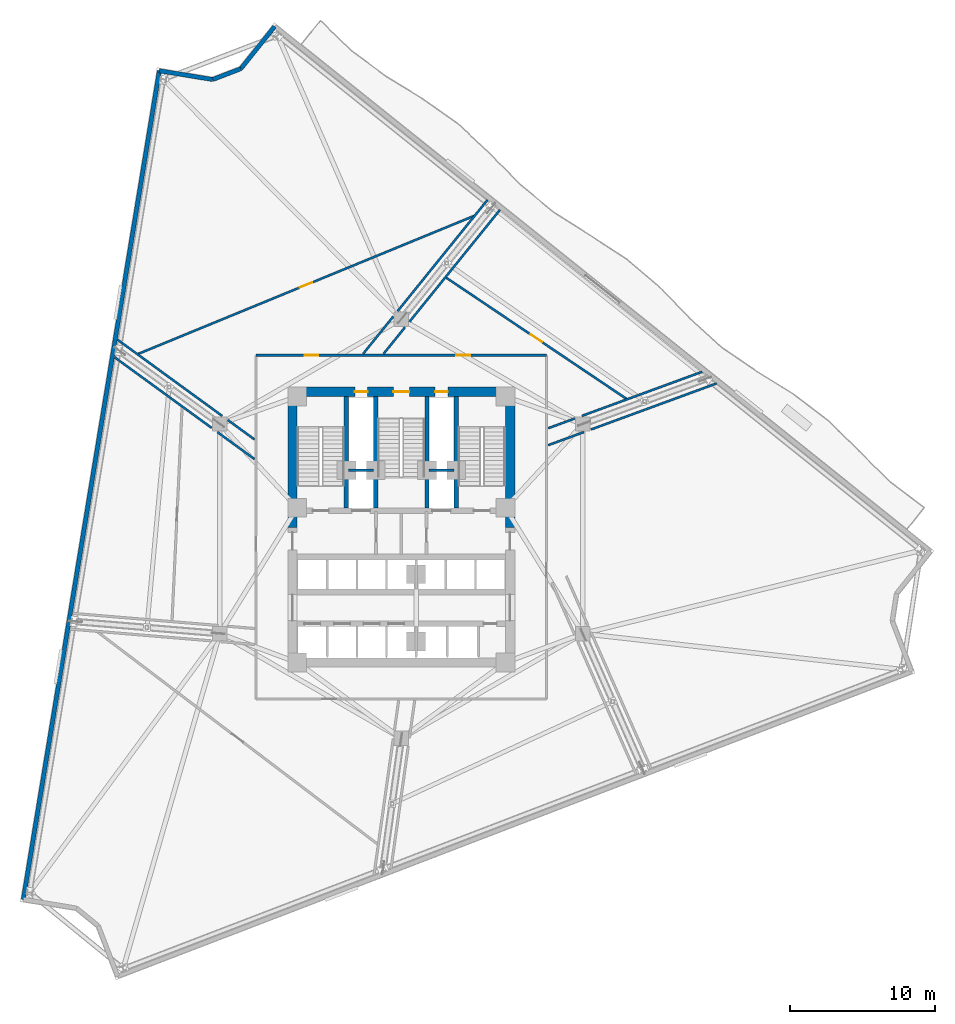
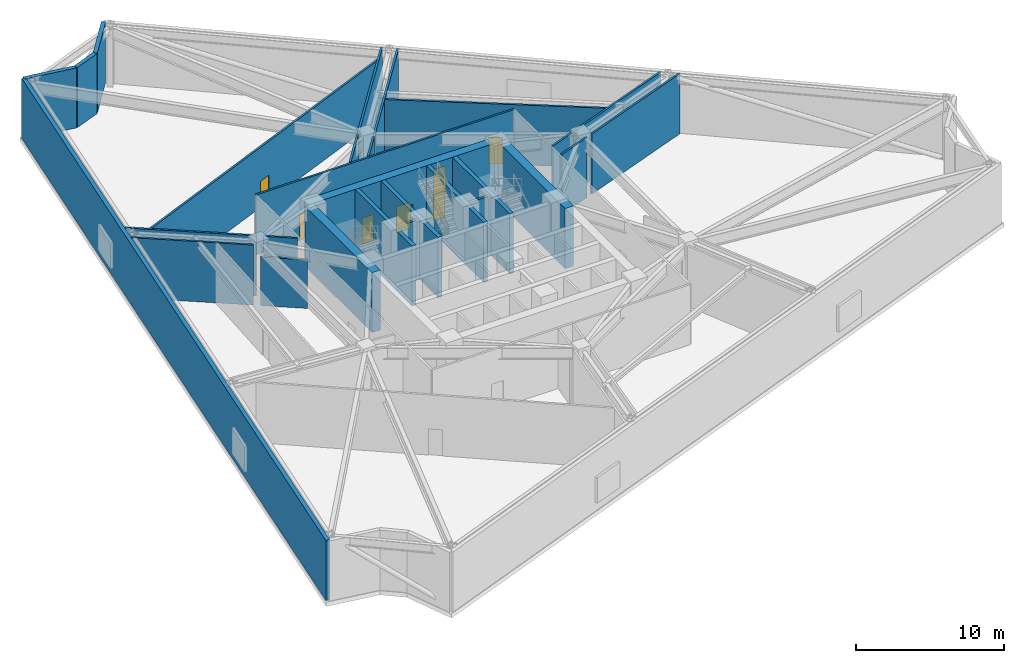
# One storey, part 14 of 18: 28 walls, 7 doors, 7 openings.
"""IFC4 building model written with IfcOpenShell, lengths in metres."""

from ifc_helpers import new_model, si_unit, direction, frame, frame_2d, origin, place, context, subcontext, project, spatial, rectangle, extrude, material, layer, layer_set, type_object, element, fill, save


model = new_model("IFC4")

# Units and contexts
model_context = context("Model", 3, precision=1e-05, world=origin(), true_north=direction((0.0, 1.0)))
body_context = subcontext(model_context, "Body", "Model", "MODEL_VIEW")
ifc_project = project(units=[si_unit("LENGTHUNIT", "METRE"), si_unit("AREAUNIT", "SQUARE_METRE"), si_unit("VOLUMEUNIT", "CUBIC_METRE"), si_unit("PLANEANGLEUNIT", "RADIAN"), si_unit("MASSUNIT", "GRAM", prefix="KILO")], contexts=[model_context])

# Site, building, storey
site_placement = place(None, origin())
site = spatial("IfcSite", under=ifc_project, at=site_placement, CompositionType="ELEMENT")
building_placement = place(site_placement, origin())
building = spatial("IfcBuilding", under=site, at=building_placement, Name="Apsidion Concourse Tower", CompositionType="ELEMENT")
storey_placement = place(building_placement, frame((0.0, 0.0, 127.0)))
storey = spatial("IfcBuildingStorey", under=building, at=storey_placement, Name="L29", CompositionType="ELEMENT", Elevation=127.0)

# Walls
ifc_material_1 = material(Name="Precast concrete C40/50", Category="concrete")
ifc_layer_1 = layer(ifc_material_1, 0.300048828125)
ifc_layer_set_1 = layer_set([ifc_layer_1], Name="Precast concrete C40/50")
wall_type_1 = type_object("IfcWallType", Name="WL-EXT-300", PredefinedType="STANDARD", material=ifc_layer_set_1)
wall_1_placement = place(storey_placement, frame((-26.149658203125, -25.64013671875, 0.0), z_axis=(0.0, 0.0, 1.0), x_axis=(0.161975761987, 0.986794736776, 0.0)))
element("IfcWall", 1, at=wall_1_placement, inside=storey, type_object=wall_type_1, Name="L29 Precast Stone Facade Wall 09", PredefinedType="STANDARD", context=body_context, shape_type="SweptSolid", body=[
    extrude(rectangle(XDim=58.093017578125, YDim=0.300048828125, at=frame_2d((29.04638671875, 0.0))), origin(), (0.0, 0.0, 1.0), 4.949951171875),
])
wall_2_placement = place(storey_placement, frame((-16.739990234375, 31.685791015625, 0.0), z_axis=(0.0, 0.0, 1.0), x_axis=(0.986793455184, -0.161983569556, 0.0)))
element("IfcWall", 2, at=wall_2_placement, inside=storey, type_object=wall_type_1, Name="L29 Precast Stone Facade Wall 10", PredefinedType="STANDARD", context=body_context, shape_type="SweptSolid", body=[
    extrude(rectangle(XDim=3.73779296875, YDim=0.300048828125, at=frame_2d((1.868896484375, 0.0))), origin(), (0.0, 0.0, 1.0), 4.949951171875),
])
wall_3_placement = place(storey_placement, frame((-13.051513671875, 31.080322265625, 0.0), z_axis=(0.0, 0.0, 1.0), x_axis=(0.933582919313, 0.35836145547, 0.0)))
element("IfcWall", 3, at=wall_3_placement, inside=storey, type_object=wall_type_1, Name="L29 Precast Stone Facade Wall 11", PredefinedType="STANDARD", context=body_context, shape_type="SweptSolid", body=[
    extrude(rectangle(XDim=2.0927734375, YDim=0.300048828125, at=frame_2d((1.04638671875, 0.0))), origin(), (0.0, 0.0, 1.0), 4.949951171875),
])
wall_4_placement = place(storey_placement, frame((-11.09765625, 31.830322265625, 0.0), z_axis=(0.0, 0.0, 1.0), x_axis=(0.624949908599, 0.78066485238, 0.0)))
element("IfcWall", 4, at=wall_4_placement, inside=storey, type_object=wall_type_1, Name="L29 Precast Stone Facade Wall 12", PredefinedType="STANDARD", context=body_context, shape_type="SweptSolid", body=[
    extrude(rectangle(XDim=3.73779296875, YDim=0.300048828125, at=frame_2d((1.868896484375, 0.0))), origin(), (0.0, 0.0, 1.0), 4.949951171875),
])

# Wall, openings, doors
ifc_material_2 = material(Name="Gypsum plasterboard partition")
ifc_layer_2 = layer(ifc_material_2, 0.14990234375)
ifc_layer_set_2 = layer_set([ifc_layer_2], Name="Gypsum plasterboard partition")
wall_type_2 = type_object("IfcWallType", Name="WL-INT-PAR-150", PredefinedType="PARTITIONING", material=ifc_layer_set_2)
wall_5_placement = place(storey_placement, frame((-10.050048828125, 12.0, 0.0), z_axis=(0.0, 0.0, 1.0), x_axis=(1.0, 0.0, 0.0)))
wall_5 = element("IfcWall", 5, at=wall_5_placement, inside=storey, type_object=wall_type_2, Name="L29 Interior Partition WL-L29-CORR-01", PredefinedType="PARTITIONING", context=body_context, shape_type="SweptSolid", body=[
    extrude(rectangle(XDim=20.10009765625, YDim=0.14990234375, at=frame_2d((10.050048828125, 0.0))), origin(), (0.0, 0.0, 1.0), 4.949951171875),
])
opening_1_placement = place(wall_5_placement, frame((3.360107421875, 0.0, 0.0)))
opening_1 = element("IfcOpeningElement", 6, at=opening_1_placement, cuts=wall_5, Name="Opening D-01R", PredefinedType="OPENING", context=body_context, shape_type="SweptSolid", body=[
    extrude(rectangle(XDim=0.949951171875, YDim=2.14990234375, at=frame_2d((0.47509765625, 1.074951171875))), frame((0.0, 0.0849609375, 0.0), z_axis=(0.0, -1.0, 0.0), x_axis=(1.0, 0.0, 0.0)), (0.0, 0.0, 1.0), 0.169921875),
])
opening_2_placement = place(wall_5_placement, frame((13.856201171875, 0.0, 0.0)))
opening_2 = element("IfcOpeningElement", 7, at=opening_2_placement, cuts=wall_5, Name="Opening D-01R", PredefinedType="OPENING", context=body_context, shape_type="SweptSolid", body=[
    extrude(rectangle(XDim=0.949951171875, YDim=2.14990234375, at=frame_2d((0.47509765625, 1.074951171875))), frame((0.0, 0.0849609375, 0.0), z_axis=(0.0, -1.0, 0.0), x_axis=(1.0, 0.0, 0.0)), (0.0, 0.0, 1.0), 0.169921875),
])
ifc_material_3 = material(Name="Brushed stainless steel 316", Category="steel")
door_type_1 = type_object("IfcDoorType", Name="DR-INT-D01R", OperationType="SINGLE_SWING_RIGHT", PredefinedType="DOOR", material=ifc_material_3)
door_1_placement = place(opening_1_placement, origin())
door_1 = element("IfcDoor", 8, at=door_1_placement, inside=storey, type_object=door_type_1, Name="L29 Corridor Entry Door 04", OperationType="SINGLE_SWING_RIGHT", OverallHeight=2.14990234375, OverallWidth=0.949951171875, PredefinedType="DOOR", context=body_context, shape_type="SweptSolid", body=[
    extrude(rectangle(XDim=0.949951171875, YDim=2.14990234375, at=frame_2d((0.47509765625, 1.074951171875))), frame((0.0, 0.02490234375, 0.0), z_axis=(0.0, -1.0, 0.0), x_axis=(1.0, 0.0, 0.0)), (0.0, 0.0, 1.0), 0.050048828125),
])
fill(opening_1, door_1)
door_2_placement = place(opening_2_placement, origin())
door_2 = element("IfcDoor", 9, at=door_2_placement, inside=storey, type_object=door_type_1, Name="L29 Corridor Entry Door 08", OperationType="SINGLE_SWING_RIGHT", OverallHeight=2.14990234375, OverallWidth=0.949951171875, PredefinedType="DOOR", context=body_context, shape_type="SweptSolid", body=[
    extrude(rectangle(XDim=0.949951171875, YDim=2.14990234375, at=frame_2d((0.47509765625, 1.074951171875))), frame((0.0, 0.02490234375, 0.0), z_axis=(0.0, -1.0, 0.0), x_axis=(1.0, 0.0, 0.0)), (0.0, 0.0, 1.0), 0.050048828125),
])
fill(opening_2, door_2)

# Walls
wall_6_placement = place(storey_placement, frame((10.155029296875, 5.781982421875, 0.0), z_axis=(0.0, 0.0, 1.0), x_axis=(0.938846386607, 0.34433626349, 0.0)))
element("IfcWall", 10, at=wall_6_placement, inside=storey, type_object=wall_type_2, Name="L29 Interior Partition WL-L29-OTW-03-1-1", PredefinedType="PARTITIONING", context=body_context, shape_type="SweptSolid", body=[
    extrude(rectangle(XDim=2.63671875, YDim=0.14990234375, at=frame_2d((1.318359375, 0.0))), origin(), (0.0, 0.0, 1.0), 4.949951171875),
])
wall_7_placement = place(storey_placement, frame((13.1201171875, 6.869384765625, 0.0), z_axis=(0.0, 0.0, 1.0), x_axis=(0.938830017719, 0.344380890628, 0.0)))
element("IfcWall", 11, at=wall_7_placement, inside=storey, type_object=wall_type_2, Name="L29 Interior Partition WL-L29-OTW-03-1-2", PredefinedType="PARTITIONING", context=body_context, shape_type="SweptSolid", body=[
    extrude(rectangle(XDim=9.26220703125, YDim=0.14990234375, at=frame_2d((4.631103515625, 0.0))), origin(), (0.0, 0.0, 1.0), 4.949951171875),
])
wall_8_placement = place(storey_placement, frame((10.155029296875, 6.95361328125, 0.0), z_axis=(0.0, 0.0, 1.0), x_axis=(0.938832138971, 0.344375107745, 0.0)))
element("IfcWall", 12, at=wall_8_placement, inside=storey, type_object=wall_type_2, Name="L29 Interior Partition WL-L29-OTW-03-2-1", PredefinedType="PARTITIONING", context=body_context, shape_type="SweptSolid", body=[
    extrude(rectangle(XDim=1.965087890625, YDim=0.14990234375, at=frame_2d((0.982421875, 0.0))), origin(), (0.0, 0.0, 1.0), 4.949951171875),
])
wall_9_placement = place(storey_placement, frame((12.48974609375, 7.81005859375, 0.0), z_axis=(0.0, 0.0, 1.0), x_axis=(0.938840110002, 0.344353376419, 0.0)))
element("IfcWall", 13, at=wall_9_placement, inside=storey, type_object=wall_type_2, Name="L29 Interior Partition WL-L29-OTW-03-2-2", PredefinedType="PARTITIONING", context=body_context, shape_type="SweptSolid", body=[
    extrude(rectangle(XDim=8.864501953125, YDim=0.14990234375, at=frame_2d((4.43212890625, 0.0))), origin(), (0.0, 0.0, 1.0), 4.949951171875),
])
wall_10_placement = place(storey_placement, frame((-1.228515625, 12.10498046875, 0.0), z_axis=(0.0, 0.0, 1.0), x_axis=(0.628611643059, 0.777719359545, 0.0)))
element("IfcWall", 14, at=wall_10_placement, inside=storey, type_object=wall_type_2, Name="L29 Interior Partition WL-L29-OTW-04-1-1", PredefinedType="PARTITIONING", context=body_context, shape_type="SweptSolid", body=[
    extrude(rectangle(XDim=2.359375, YDim=0.14990234375, at=frame_2d((1.1796875, 0.0))), origin(), (0.0, 0.0, 1.0), 4.949951171875),
])
wall_11_placement = place(storey_placement, frame((0.56005859375, 14.31787109375, 0.0), z_axis=(0.0, 0.0, 1.0), x_axis=(0.628576735756, 0.777747572973, 0.0)))
element("IfcWall", 15, at=wall_11_placement, inside=storey, type_object=wall_type_2, Name="L29 Interior Partition WL-L29-OTW-04-1-2", PredefinedType="PARTITIONING", context=body_context, shape_type="SweptSolid", body=[
    extrude(rectangle(XDim=9.958984375, YDim=0.14990234375, at=frame_2d((4.9794921875, 0.0))), origin(), (0.0, 0.0, 1.0), 4.949951171875),
])
wall_12_placement = place(storey_placement, frame((-2.642822265625, 12.10498046875, 0.0), z_axis=(0.0, 0.0, 1.0), x_axis=(0.628560032757, 0.777761072065, 0.0)))
element("IfcWall", 16, at=wall_12_placement, inside=storey, type_object=wall_type_2, Name="L29 Interior Partition WL-L29-OTW-04-2-1", PredefinedType="PARTITIONING", context=body_context, shape_type="SweptSolid", body=[
    extrude(rectangle(XDim=3.3134765625, YDim=0.14990234375, at=frame_2d((1.65673828125, 0.0))), origin(), (0.0, 0.0, 1.0), 4.949951171875),
])
wall_13_placement = place(storey_placement, frame((-0.254638671875, 15.06005859375, 0.0), z_axis=(0.0, 0.0, 1.0), x_axis=(0.628577290264, 0.777747124819, 0.0)))
element("IfcWall", 17, at=wall_13_placement, inside=storey, type_object=wall_type_2, Name="L29 Interior Partition WL-L29-OTW-04-2-2", PredefinedType="PARTITIONING", context=body_context, shape_type="SweptSolid", body=[
    extrude(rectangle(XDim=9.888671875, YDim=0.14990234375, at=frame_2d((4.9443359375, 0.0))), origin(), (0.0, 0.0, 1.0), 4.949951171875),
])
wall_14_placement = place(storey_placement, frame((-10.155029296875, 6.17919921875, 0.0), z_axis=(0.0, 0.0, 1.0), x_axis=(-0.808379751534, 0.588661343482, 0.0)))
element("IfcWall", 18, at=wall_14_placement, inside=storey, type_object=wall_type_2, Name="L29 Interior Partition WL-L29-OTW-05-1-1", PredefinedType="PARTITIONING", context=body_context, shape_type="SweptSolid", body=[
    extrude(rectangle(XDim=2.2822265625, YDim=0.14990234375, at=frame_2d((1.14111328125, 0.0))), origin(), (0.0, 0.0, 1.0), 4.949951171875),
])
wall_15_placement = place(storey_placement, frame((-12.39453125, 7.81005859375, 0.0), z_axis=(0.0, 0.0, 1.0), x_axis=(-0.808400840763, 0.588632381588, 0.0)))
element("IfcWall", 19, at=wall_15_placement, inside=storey, type_object=wall_type_2, Name="L29 Interior Partition WL-L29-OTW-05-1-2", PredefinedType="PARTITIONING", context=body_context, shape_type="SweptSolid", body=[
    extrude(rectangle(XDim=8.947265625, YDim=0.14990234375, at=frame_2d((4.4736328125, 0.0))), origin(), (0.0, 0.0, 1.0), 4.949951171875),
])
wall_16_placement = place(storey_placement, frame((-10.155029296875, 4.818603515625, 0.0), z_axis=(0.0, 0.0, 1.0), x_axis=(-0.808407197944, 0.588623650826, 0.0)))
element("IfcWall", 20, at=wall_16_placement, inside=storey, type_object=wall_type_2, Name="L29 Interior Partition WL-L29-OTW-05-2-1", PredefinedType="PARTITIONING", context=body_context, shape_type="SweptSolid", body=[
    extrude(rectangle(XDim=3.17919921875, YDim=0.14990234375, at=frame_2d((1.589599609375, 0.0))), origin(), (0.0, 0.0, 1.0), 3.998046875),
])
wall_17_placement = place(storey_placement, frame((-13.1201171875, 6.9775390625, 0.0), z_axis=(0.0, 0.0, 1.0), x_axis=(-0.808398729857, 0.588635280599, 0.0)))
element("IfcWall", 21, at=wall_17_placement, inside=storey, type_object=wall_type_2, Name="L29 Interior Partition WL-L29-OTW-05-2-2", PredefinedType="PARTITIONING", context=body_context, shape_type="SweptSolid", body=[
    extrude(rectangle(XDim=8.29638671875, YDim=0.14990234375, at=frame_2d((4.148193359375, 0.0))), origin(), (0.0, 0.0, 1.0), 4.949951171875),
])

# Wall, opening, door
wall_18_placement = place(storey_placement, frame((5.04638671875, 21.65087890625, 0.0), z_axis=(0.0, 0.0, 1.0), x_axis=(-0.924977747822, -0.380021270502, 0.0)))
wall_18 = element("IfcWall", 22, at=wall_18_placement, inside=storey, type_object=wall_type_2, Name="L29 Interior Partition WL-L29-CHD-PLS02", PredefinedType="PARTITIONING", context=body_context, shape_type="SweptSolid", body=[
    extrude(rectangle(XDim=25.168212890625, YDim=0.14990234375, at=frame_2d((12.583984375, 0.0))), origin(), (0.0, 0.0, 1.0), 4.949951171875),
])
opening_3_placement = place(wall_18_placement, frame((12.109130859375, 0.0, 0.0)))
opening_3 = element("IfcOpeningElement", 23, at=opening_3_placement, cuts=wall_18, Name="Opening D-04R", PredefinedType="OPENING", context=body_context, shape_type="SweptSolid", body=[
    extrude(rectangle(XDim=0.949951171875, YDim=2.14990234375, at=frame_2d((0.47509765625, 1.074951171875))), frame((0.0, 0.0849609375, 0.0), z_axis=(0.0, -1.0, 0.0), x_axis=(1.0, 0.0, 0.0)), (0.0, 0.0, 1.0), 0.169921875),
])
door_type_2 = type_object("IfcDoorType", Name="DR-INT-D04R", OperationType="SINGLE_SWING_RIGHT", PredefinedType="DOOR", material=ifc_material_3)
door_3_placement = place(opening_3_placement, origin())
door_3 = element("IfcDoor", 24, at=door_3_placement, inside=storey, type_object=door_type_2, Name="L29 Suite Connecting Door PLS02", OperationType="SINGLE_SWING_RIGHT", OverallHeight=2.14990234375, OverallWidth=0.949951171875, PredefinedType="DOOR", context=body_context, shape_type="SweptSolid", body=[
    extrude(rectangle(XDim=0.949951171875, YDim=2.14990234375, at=frame_2d((0.47509765625, 1.074951171875))), frame((0.0, 0.02490234375, 0.0), z_axis=(0.0, -1.0, 0.0), x_axis=(1.0, 0.0, 0.0)), (0.0, 0.0, 1.0), 0.050048828125),
])
fill(opening_3, door_3)

wall_19_placement = place(storey_placement, frame((15.599365234375, 8.971923828125, 0.0), z_axis=(0.0, 0.0, 1.0), x_axis=(-0.82992429351, 0.557876031966, 0.0)))
wall_19 = element("IfcWall", 25, at=wall_19_placement, inside=storey, type_object=wall_type_2, Name="L29 Interior Partition WL-L29-CHD-PLS04", PredefinedType="PARTITIONING", context=body_context, shape_type="SweptSolid", body=[
    extrude(rectangle(XDim=15.095458984375, YDim=0.14990234375, at=frame_2d((7.5478515625, 0.0))), origin(), (0.0, 0.0, 1.0), 4.949951171875),
])
opening_4_placement = place(wall_19_placement, frame((7.07275390625, 0.0, 0.0)))
opening_4 = element("IfcOpeningElement", 26, at=opening_4_placement, cuts=wall_19, Name="Opening D-04R", PredefinedType="OPENING", context=body_context, shape_type="SweptSolid", body=[
    extrude(rectangle(XDim=0.949951171875, YDim=2.14990234375, at=frame_2d((0.47509765625, 1.074951171875))), frame((0.0, 0.0849609375, 0.0), z_axis=(0.0, -1.0, 0.0), x_axis=(1.0, 0.0, 0.0)), (0.0, 0.0, 1.0), 0.169921875),
])
door_4_placement = place(opening_4_placement, origin())
door_4 = element("IfcDoor", 27, at=door_4_placement, inside=storey, type_object=door_type_2, Name="L29 Suite Connecting Door PLS04", OperationType="SINGLE_SWING_RIGHT", OverallHeight=2.14990234375, OverallWidth=0.949951171875, PredefinedType="DOOR", context=body_context, shape_type="SweptSolid", body=[
    extrude(rectangle(XDim=0.949951171875, YDim=2.14990234375, at=frame_2d((0.47509765625, 1.074951171875))), frame((0.0, 0.02490234375, 0.0), z_axis=(0.0, -1.0, 0.0), x_axis=(1.0, 0.0, 0.0)), (0.0, 0.0, 1.0), 0.050048828125),
])
fill(opening_4, door_4)

# Walls
ifc_layer_3 = layer(ifc_material_2, 0.199951171875)
ifc_layer_set_3 = layer_set([ifc_layer_3], Name="Gypsum plasterboard partition")
wall_type_3 = type_object("IfcWallType", Name="WL-INT-PAR-200", PredefinedType="PARTITIONING", material=ifc_layer_set_3)
for number, where, z_axis, x_axis, name in (
    (28, (-3.64990234375, 4.050048828125, 0.0), (0.0, 0.0, 1.0), (1.0, 0.0, 0.0), "L29 Interior Partition WL-L29-FF1-N"),
    (29, (1.919921875, 4.050048828125, 0.0), (0.0, 0.0, 1.0), (1.0, 0.0, 0.0), "L29 Interior Partition WL-L29-FF2-N"),
):
    element("IfcWall", number, at=place(storey_placement, frame(where, z_axis=z_axis, x_axis=x_axis)), inside=storey, type_object=wall_type_3, Name=name, PredefinedType="PARTITIONING", context=body_context, shape_type="SweptSolid", body=[
        extrude(rectangle(XDim=1.72998046875, YDim=0.199951171875, at=frame_2d((0.864990234375, 0.0))), origin(), (0.0, 0.0, 1.0), 4.949951171875),
    ])
ifc_material_4 = material(Name="Concrete C50/60", Category="concrete")
ifc_layer_4 = layer(ifc_material_4, 0.300048828125)
ifc_layer_set_4 = layer_set([ifc_layer_4], Name="Concrete C50/60")
wall_type_4 = type_object("IfcWallType", Name="WL-SH-300", PredefinedType="SHEAR", material=ifc_layer_set_4)
for number, where, z_axis, x_axis, name in (
    (30, (-3.800048828125, 1.449951171875, 0.0), (0.0, 0.0, 1.0), (0.0, 1.0, 0.0), "L29 Central Core Shear Wall V1"),
    (31, (-1.77490234375, 1.449951171875, 0.0), (0.0, 0.0, 1.0), (0.0, 1.0, 0.0), "L29 Central Core Shear Wall V2"),
    (32, (1.77490234375, 1.449951171875, 0.0), (0.0, 0.0, 1.0), (0.0, 1.0, 0.0), "L29 Central Core Shear Wall V3"),
    (33, (3.800048828125, 1.449951171875, 0.0), (0.0, 0.0, 1.0), (0.0, 1.0, 0.0), "L29 Central Core Shear Wall V4"),
):
    element("IfcWall", number, at=place(storey_placement, frame(where, z_axis=z_axis, x_axis=x_axis)), inside=storey, type_object=wall_type_4, Name=name, PredefinedType="SHEAR", context=body_context, shape_type="SweptSolid", body=[
        extrude(rectangle(XDim=7.699951171875, YDim=0.300048828125, at=frame_2d((3.85009765625, 0.0))), origin(), (0.0, 0.0, 1.0), 4.949951171875),
    ])

# Wall, openings, doors
ifc_layer_5 = layer(ifc_material_4, 0.64990234375)
ifc_layer_set_5 = layer_set([ifc_layer_5], Name="Concrete C50/60")
wall_type_5 = type_object("IfcWallType", Name="WL-SH-650", PredefinedType="SHEAR", material=ifc_layer_set_5)
wall_20_placement = place(storey_placement, frame((-7.52490234375, 9.47509765625, 0.0), z_axis=(0.0, 0.0, 1.0), x_axis=(1.0, 0.0, 0.0)))
wall_20 = element("IfcWall", 34, at=wall_20_placement, inside=storey, type_object=wall_type_5, Name="L29 Central Core Shear Wall N", PredefinedType="SHEAR", context=body_context, shape_type="SweptSolid", body=[
    extrude(rectangle(XDim=15.0498046875, YDim=0.64990234375, at=frame_2d((7.52490234375, 0.0))), origin(), (0.0, 0.0, 1.0), 4.949951171875),
])
opening_5_placement = place(wall_20_placement, frame((6.97509765625, 0.0, 0.0)))
opening_5 = element("IfcOpeningElement", 35, at=opening_5_placement, cuts=wall_20, Name="Opening D-STL", PredefinedType="OPENING", context=body_context, shape_type="SweptSolid", body=[
    extrude(rectangle(XDim=1.10009765625, YDim=2.14990234375, at=frame_2d((0.550048828125, 1.074951171875))), frame((0.0, 0.3349609375, 0.0), z_axis=(0.0, -1.0, 0.0), x_axis=(1.0, 0.0, 0.0)), (0.0, 0.0, 1.0), 0.669921875),
])
opening_6_placement = place(wall_20_placement, frame((4.304931640625, 0.0, 0.0)))
opening_6 = element("IfcOpeningElement", 36, at=opening_6_placement, cuts=wall_20, Name="Opening D-05L", PredefinedType="OPENING", context=body_context, shape_type="SweptSolid", body=[
    extrude(rectangle(XDim=0.8798828125, YDim=2.14990234375, at=frame_2d((0.43994140625, 1.074951171875))), frame((0.0, 0.3349609375, 0.0), z_axis=(0.0, -1.0, 0.0), x_axis=(1.0, 0.0, 0.0)), (0.0, 0.0, 1.0), 0.669921875),
])
opening_7_placement = place(wall_20_placement, frame((9.864990234375, 0.0, 0.0)))
opening_7 = element("IfcOpeningElement", 37, at=opening_7_placement, cuts=wall_20, Name="Opening D-05R", PredefinedType="OPENING", context=body_context, shape_type="SweptSolid", body=[
    extrude(rectangle(XDim=0.8798828125, YDim=2.14990234375, at=frame_2d((0.43994140625, 1.074951171875))), frame((0.0, 0.3349609375, 0.0), z_axis=(0.0, -1.0, 0.0), x_axis=(1.0, 0.0, 0.0)), (0.0, 0.0, 1.0), 0.669921875),
])
door_type_3 = type_object("IfcDoorType", Name="DR-INT-D05L", OperationType="SINGLE_SWING_LEFT", PredefinedType="DOOR", material=ifc_material_3)
door_5_placement = place(opening_6_placement, origin())
door_5 = element("IfcDoor", 38, at=door_5_placement, inside=storey, type_object=door_type_3, Name="L29 Electrical Riser Shaft Access Door", OperationType="SINGLE_SWING_LEFT", OverallHeight=2.14990234375, OverallWidth=0.8798828125, PredefinedType="DOOR", context=body_context, shape_type="SweptSolid", body=[
    extrude(rectangle(XDim=0.8798828125, YDim=2.14990234375, at=frame_2d((0.43994140625, 1.074951171875))), frame((0.0, 0.02490234375, 0.0), z_axis=(0.0, -1.0, 0.0), x_axis=(1.0, 0.0, 0.0)), (0.0, 0.0, 1.0), 0.050048828125),
])
fill(opening_6, door_5)
door_type_4 = type_object("IfcDoorType", Name="DR-INT-D05R", OperationType="SINGLE_SWING_RIGHT", PredefinedType="DOOR", material=ifc_material_3)
door_6_placement = place(opening_7_placement, origin())
door_6 = element("IfcDoor", 39, at=door_6_placement, inside=storey, type_object=door_type_4, Name="L29 Mechanical Riser Shaft Access Door", OperationType="SINGLE_SWING_RIGHT", OverallHeight=2.14990234375, OverallWidth=0.8798828125, PredefinedType="DOOR", context=body_context, shape_type="SweptSolid", body=[
    extrude(rectangle(XDim=0.8798828125, YDim=2.14990234375, at=frame_2d((0.43994140625, 1.074951171875))), frame((0.0, 0.02490234375, 0.0), z_axis=(0.0, -1.0, 0.0), x_axis=(1.0, 0.0, 0.0)), (0.0, 0.0, 1.0), 0.050048828125),
])
fill(opening_7, door_6)
door_type_5 = type_object("IfcDoorType", Name="DR-INT-ST1L", OperationType="SINGLE_SWING_LEFT", PredefinedType="DOOR", material=ifc_material_3)
door_7_placement = place(opening_5_placement, origin())
door_7 = element("IfcDoor", 40, at=door_7_placement, inside=storey, type_object=door_type_5, Name="L29 Core Exit Stair ST3 Door", OperationType="SINGLE_SWING_LEFT", OverallHeight=2.14990234375, OverallWidth=1.10009765625, PredefinedType="DOOR", context=body_context, shape_type="SweptSolid", body=[
    extrude(rectangle(XDim=1.10009765625, YDim=2.14990234375, at=frame_2d((0.550048828125, 1.074951171875))), frame((0.0, 0.02490234375, 0.0), z_axis=(0.0, -1.0, 0.0), x_axis=(1.0, 0.0, 0.0)), (0.0, 0.0, 1.0), 0.050048828125),
])
fill(opening_5, door_7)

# Walls
for number, where, z_axis, x_axis, name in (
    (41, (-7.52490234375, 0.10009765625, 0.0), (0.0, 0.0, 1.0), (0.0, 1.0, 0.0), "L29 Central Core Shear Wall WN"),
    (42, (7.52490234375, 0.10009765625, 0.0), (0.0, 0.0, 1.0), (0.0, 1.0, 0.0), "L29 Central Core Shear Wall EN"),
):
    element("IfcWall", number, at=place(storey_placement, frame(where, z_axis=z_axis, x_axis=x_axis)), inside=storey, type_object=wall_type_5, Name=name, PredefinedType="SHEAR", context=body_context, shape_type="SweptSolid", body=[
        extrude(rectangle(XDim=9.0498046875, YDim=0.64990234375, at=frame_2d((4.52490234375, 0.0))), origin(), (0.0, 0.0, 1.0), 4.949951171875),
    ])

save(model, "model.ifc")
